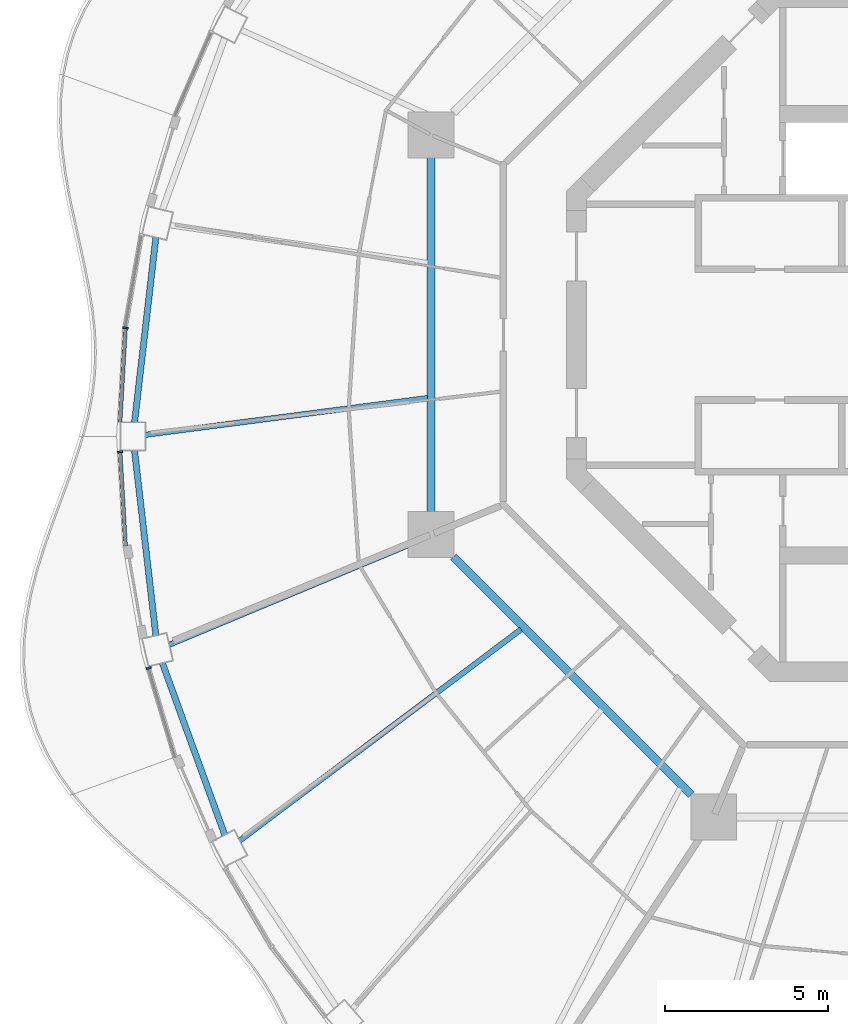
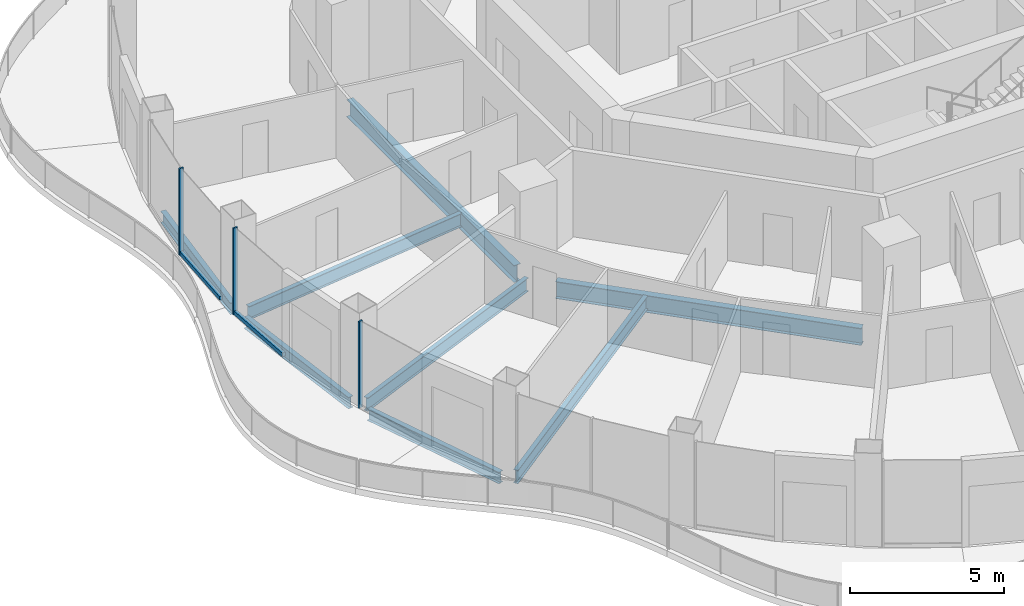
# One storey, part 3 of 18: 8 beams, 5 members, 3 elements without a shape of their own.
"""IFC4 building model written with IfcOpenShell, lengths in metres."""

import ifcopenshell
import ifcopenshell.guid

model = None  # the IFC model being written
_history = None  # IfcOwnerHistory: only IFC2X3 demands one
_inside = {}  # id of a spatial element -> (the spatial element, [elements in it])
_under = {}  # id of a project, library or spatial element -> (it, [spatial elements below it])
_declared = {}  # id of a project -> (the project, [libraries it declares])
_typed = {}  # id of a type object -> (the type object, [elements of that type])
_made_of = {}  # id of a material, layer set ... -> (it, [elements and type objects made of it])


def new_model(schema):
    """Start an empty IFC model of exactly this schema.

    Asked for "IFC4X3", IfcOpenShell would pick the latest addendum, in which some entities
    have other attributes; the version numbers below select the first issue.
    IFC2X3 requires an IfcOwnerHistory on every rooted entity: one is made here for all.
    """
    global model, _history
    if schema == "IFC4X3":
        model = ifcopenshell.file(schema_version=(4, 3, 0, 0))
    else:
        model = ifcopenshell.file(schema=schema)
    _inside.clear()
    _under.clear()
    _declared.clear()
    _typed.clear()
    _made_of.clear()
    _history = None
    if model.schema == "IFC2X3":
        org = make("IfcOrganization", Name="unknown")
        user = make(
            "IfcPersonAndOrganization",
            ThePerson=make("IfcPerson", FamilyName="unknown"),
            TheOrganization=org,
        )
        app = make(
            "IfcApplication",
            ApplicationDeveloper=org,
            Version="unknown",
            ApplicationFullName="unknown",
            ApplicationIdentifier="unknown",
        )
        _history = make(
            "IfcOwnerHistory",
            OwningUser=user,
            OwningApplication=app,
            ChangeAction="ADDED",
            CreationDate=0,
        )
    return model


def make(cls, **values):
    """One entity of the class cls with the attributes given. An attribute that is None is left unset."""
    return model.create_entity(
        cls, **{name: value for name, value in values.items() if value is not None}
    )


def rooted(cls, **values):
    """An entity with a GlobalId (a new one), such as an element, a storey or a relation."""
    return make(cls, GlobalId=ifcopenshell.guid.new(), OwnerHistory=_history, **values)


def si_unit(unit_type, name, prefix=None):
    """IfcSIUnit, for example si_unit("LENGTHUNIT", "METRE", prefix="MILLI")."""
    return make("IfcSIUnit", UnitType=unit_type, Prefix=prefix, Name=name)


def assignment(units):
    """IfcUnitAssignment: the units of a project."""
    return None if units is None else make("IfcUnitAssignment", Units=units)


def point(xyz):
    """IfcCartesianPoint."""
    return None if xyz is None else make("IfcCartesianPoint", Coordinates=xyz)


def direction(xyz):
    """IfcDirection."""
    return None if xyz is None else make("IfcDirection", DirectionRatios=xyz)


def frame(location, z_axis=None, x_axis=None):
    """IfcAxis2Placement3D, a coordinate frame: its origin and axes. An axis left out is left unset."""
    return make(
        "IfcAxis2Placement3D",
        Location=point(location),
        Axis=direction(z_axis),
        RefDirection=direction(x_axis),
    )


def frame_2d(location, x_axis=None):
    """IfcAxis2Placement2D, a coordinate frame in the plane: its origin and x axis."""
    return make(
        "IfcAxis2Placement2D", Location=point(location), RefDirection=direction(x_axis)
    )


def origin():
    """The frame at (0, 0, 0) with its axes left unset."""
    return frame((0.0, 0.0, 0.0))


def origin_2d():
    """The frame at (0, 0) in the plane with its x axis left unset."""
    return frame_2d((0.0, 0.0))


def place(relative_to, where):
    """IfcLocalPlacement: puts the frame where relative to a parent placement (None: the world)."""
    return make(
        "IfcLocalPlacement", PlacementRelTo=relative_to, RelativePlacement=where
    )


def context(
    kind, dimensions, precision=None, world=None, true_north=None, identifier=None
):
    """IfcGeometricRepresentationContext, for example the 3D "Model" context."""
    return make(
        "IfcGeometricRepresentationContext",
        ContextIdentifier=identifier,
        ContextType=kind,
        CoordinateSpaceDimension=dimensions,
        Precision=precision,
        WorldCoordinateSystem=world,
        TrueNorth=true_north,
    )


def subcontext(parent, identifier, kind, view, scale=None):
    """IfcGeometricRepresentationSubContext, for example "Body" below "Model"."""
    return make(
        "IfcGeometricRepresentationSubContext",
        ContextIdentifier=identifier,
        ContextType=kind,
        ParentContext=parent,
        TargetScale=scale,
        TargetView=view,
    )


def project(units=None, contexts=None):
    """IfcProject with its units and contexts."""
    return rooted(
        "IfcProject",
        Name="project",
        RepresentationContexts=contexts,
        UnitsInContext=assignment(units),
    )


def spatial(cls, under=None, at=None, **own):
    """A site, building, storey or space (cls), placed at a placement, below another one or the project."""
    s = rooted(cls, ObjectPlacement=at, **own)
    if under is not None:
        _under.setdefault(under.id(), (under, []))[1].append(s)
    return s


def profile(cls, at=None, kind="AREA", **sizes):
    """A parametric profile (cls). Its sizes go by their IFC names, for example OverallWidth=200.0."""
    return make(cls, ProfileType=kind, Position=at, **sizes)


def rectangle(**sizes):
    """IfcRectangleProfileDef."""
    return profile("IfcRectangleProfileDef", **sizes)


def i_section(**sizes):
    """IfcIShapeProfileDef."""
    return profile("IfcIShapeProfileDef", **sizes)


def extrude(swept, where, along, depth):
    """IfcExtrudedAreaSolid: the profile swept, set in the frame where, extruded along a direction by depth."""
    return make(
        "IfcExtrudedAreaSolid",
        SweptArea=swept,
        Position=where,
        ExtrudedDirection=direction(along),
        Depth=depth,
    )


def shape(context_of_items, identifier, shape_type, items):
    """IfcShapeRepresentation: the items that make up one representation, for example the "Body"."""
    return make(
        "IfcShapeRepresentation",
        ContextOfItems=context_of_items,
        RepresentationIdentifier=identifier,
        RepresentationType=shape_type,
        Items=items,
    )


def material(Name=None, Category=None):
    """IfcMaterial."""
    return make("IfcMaterial", Name=Name, Category=Category)


def layer(
    of_material, thickness, ventilated=None, Name=None, Category=None, Priority=None
):
    """IfcMaterialLayer: one layer of a wall or slab, of a material (None: an air gap)."""
    return make(
        "IfcMaterialLayer",
        Material=of_material,
        LayerThickness=thickness,
        IsVentilated=ventilated,
        Name=Name,
        Category=Category,
        Priority=Priority,
    )


def layer_set(layers, Name=None):
    """IfcMaterialLayerSet."""
    return make("IfcMaterialLayerSet", MaterialLayers=layers, LayerSetName=Name)


def material_profile(
    of_material, cross_section, Name=None, Category=None, Priority=None
):
    """IfcMaterialProfile: a cross section and its material."""
    return make(
        "IfcMaterialProfile",
        Name=Name,
        Material=of_material,
        Profile=cross_section,
        Priority=Priority,
        Category=Category,
    )


def profile_set(profiles, Name=None, composite=None):
    """IfcMaterialProfileSet."""
    return make(
        "IfcMaterialProfileSet",
        Name=Name,
        MaterialProfiles=profiles,
        CompositeProfile=composite,
    )


def made_of(thing, what):
    """Note that an element or type object is made of a material, layer set ...; save() writes the relation."""
    if what is not None:
        _made_of.setdefault(what.id(), (what, []))[1].append(thing)
    return thing


def type_object(cls, material=None, **own):
    """A type object (cls), such as IfcWallType, which elements share."""
    return made_of(rooted(cls, **own), material)


def element(
    cls,
    number,
    at=None,
    inside=None,
    cuts=None,
    type_object=None,
    material=None,
    context=None,
    identifier="Body",
    shape_type=None,
    held_by="IfcProductDefinitionShape",
    body=None,
    shapes=None,
    **own,
):
    """One element of the class cls, such as IfcWall. Its Tag is "e" and its number.

    at: its placement. inside: the storey or other place that contains it. cuts: it is an
    opening in that element (IfcRelVoidsElement). A single representation is given by context,
    identifier, shape_type and body (its items); several are given by shapes. held_by: the class
    of the entity that holds the representations. save() writes the other relations.
    """
    e = rooted(cls, Tag="e%d" % number, ObjectPlacement=at, **own)
    if body is not None:
        shapes = [shape(context, identifier, shape_type, body)]
    if shapes is not None:
        e.Representation = make(held_by, Representations=shapes)
    if inside is not None:
        _inside.setdefault(inside.id(), (inside, []))[1].append(e)
    if cuts is not None:
        rooted(
            "IfcRelVoidsElement", RelatingBuildingElement=cuts, RelatedOpeningElement=e
        )
    if type_object is not None:
        _typed.setdefault(type_object.id(), (type_object, []))[1].append(e)
    return made_of(e, material)


def aggregate(whole, parts):
    """IfcRelAggregates: a whole, such as a stair, and the parts it consists of."""
    return rooted("IfcRelAggregates", RelatingObject=whole, RelatedObjects=parts)


def save(model, path):
    """Write the relations noted so far, then the file.

    IfcRelAggregates (storeys below a building ...), IfcRelContainedInSpatialStructure (elements
    in a storey), IfcRelDefinesByType, IfcRelAssociatesMaterial and IfcRelDeclares: one each for
    every whole, place, type object, material and project.
    """
    for whole, parts in _under.values():
        aggregate(whole, parts)
    for where, things in _inside.values():
        rooted(
            "IfcRelContainedInSpatialStructure",
            RelatedElements=things,
            RelatingStructure=where,
        )
    for kind, things in _typed.values():
        rooted("IfcRelDefinesByType", RelatedObjects=things, RelatingType=kind)
    for what, things in _made_of.values():
        rooted("IfcRelAssociatesMaterial", RelatedObjects=things, RelatingMaterial=what)
    for by, libraries in _declared.values():
        rooted("IfcRelDeclares", RelatingContext=by, RelatedDefinitions=libraries)
    model.write(path)


model = new_model("IFC4")

# Units and contexts
model_context = context("Model", 3, precision=1e-05, world=origin(), true_north=direction((0.0, 1.0)))
body_context = subcontext(model_context, "Body", "Model", "MODEL_VIEW")
ifc_project = project(units=[si_unit("LENGTHUNIT", "METRE"), si_unit("AREAUNIT", "SQUARE_METRE"), si_unit("VOLUMEUNIT", "CUBIC_METRE"), si_unit("PLANEANGLEUNIT", "RADIAN"), si_unit("MASSUNIT", "GRAM", prefix="KILO")], contexts=[model_context])

# Site, building, storey
site_placement = place(None, origin())
site = spatial("IfcSite", under=ifc_project, at=site_placement, CompositionType="ELEMENT")
building_placement = place(site_placement, origin())
building = spatial("IfcBuilding", under=site, at=building_placement, Name="Nagisa Residences", CompositionType="ELEMENT")
storey_placement = place(building_placement, frame((0.0, 0.0, 284.39990234375)))
storey = spatial("IfcBuildingStorey", under=building, at=storey_placement, Name="L72", CompositionType="ELEMENT", Elevation=284.39990234375)

# Curtain wall, member
ifc_material_1 = material(Name="Concrete-coloured aluminium curtain wall system", Category="concrete")
ifc_layer = layer(ifc_material_1, 0.159912109375)
ifc_layer_set = layer_set([ifc_layer], Name="CW1 CURTAIN WALL")
curtain_wall_type = type_object("IfcCurtainWallType", Name="CW1 CURTAIN WALL", PredefinedType="NOTDEFINED", material=ifc_layer_set)
curtain_wall_1_placement = place(storey_placement, origin())
curtain_wall_1 = element("IfcCurtainWall", 1, at=curtain_wall_1_placement, inside=storey, type_object=curtain_wall_type, Name="cw:CW1:L72:23", PredefinedType="NOTDEFINED")
ifc_material_2 = material(Name="Concrete-coloured aluminium", Category="concrete")
ifc_material_profile_1 = material_profile(ifc_material_2, rectangle(XDim=0.159912109375, YDim=0.06005859375, at=origin_2d()), Name="CW1 MULLION 160x60")
ifc_profile_set_1 = profile_set([ifc_material_profile_1], Name="Concrete-coloured aluminium")
member_type_1 = type_object("IfcMemberType", Name="CW1 MULLION 160x60", PredefinedType="MULLION", material=ifc_profile_set_1)
member_1_placement = place(storey_placement, frame((-24.1484375, 0.20751953125, 0.0), z_axis=(0.0, 0.0, 1.0), x_axis=(0.998345305184, -0.057503492216, 0.0)))
member_1 = element("IfcMember", 2, at=member_1_placement, type_object=member_type_1, Name="CW1 mullion", PredefinedType="MULLION", context=body_context, shape_type="SweptSolid", body=[
    extrude(rectangle(XDim=0.159912109375, YDim=0.06005859375, at=origin_2d()), origin(), (0.0, 0.0, 1.0), 3.440185546875),
])

curtain_wall_2_placement = place(storey_placement, origin())
curtain_wall_2 = element("IfcCurtainWall", 3, at=curtain_wall_2_placement, inside=storey, type_object=curtain_wall_type, Name="cw:CW1:L72:24", PredefinedType="NOTDEFINED")
member_2_placement = place(storey_placement, frame((-24.3125, -3.59228515625, 0.0), z_axis=(0.0, 0.0, 1.0), x_axis=(0.998345305184, 0.057503492216, 0.0)))
member_2 = element("IfcMember", 4, at=member_2_placement, type_object=member_type_1, Name="CW1 mullion", PredefinedType="MULLION", context=body_context, shape_type="SweptSolid", body=[
    extrude(rectangle(XDim=0.159912109375, YDim=0.06005859375, at=origin_2d()), origin(), (0.0, 0.0, 1.0), 3.440185546875),
])

curtain_wall_3_placement = place(storey_placement, origin())
curtain_wall_3 = element("IfcCurtainWall", 5, at=curtain_wall_3_placement, inside=storey, type_object=curtain_wall_type, Name="cw:CW1:L72:26", PredefinedType="NOTDEFINED")
member_3_placement = place(storey_placement, frame((-23.435302734375, -10.216796875, 0.0), z_axis=(0.0, 0.0, 1.0), x_axis=(0.958271310082, 0.285860274038, 0.0)))
member_3 = element("IfcMember", 6, at=member_3_placement, type_object=member_type_1, Name="CW1 mullion", PredefinedType="MULLION", context=body_context, shape_type="SweptSolid", body=[
    extrude(rectangle(XDim=0.159912109375, YDim=0.06005859375, at=origin_2d()), origin(), (0.0, 0.0, 1.0), 3.440185546875),
])
aggregate(curtain_wall_3, [member_3])

# Member
ifc_material_3 = material(Name="Concrete-coloured aluminium", Category="concrete")
ifc_material_profile_2 = material_profile(ifc_material_3, rectangle(XDim=0.1201171875, YDim=0.14990234375, at=origin_2d()), Name="CW1 TRANSOM 120x150")
ifc_profile_set_2 = profile_set([ifc_material_profile_2], Name="Concrete-coloured aluminium")
member_type_2 = type_object("IfcMemberType", Name="CW1 TRANSOM 120x150", PredefinedType="USERDEFINED", material=ifc_profile_set_2)
member_4_placement = place(storey_placement, frame((-24.146728515625, 0.237548828125, 0.0751953125), z_axis=(-0.057445660401, -0.998348634547, 0.0), x_axis=(0.998348634547, -0.057445660401, 0.0)))
member_4 = element("IfcMember", 7, at=member_4_placement, type_object=member_type_2, Name="CW1 transom", ObjectType="TRANSOM", PredefinedType="USERDEFINED", context=body_context, shape_type="SweptSolid", body=[
    extrude(rectangle(XDim=0.1201171875, YDim=0.14990234375, at=origin_2d()), origin(), (0.0, 0.0, 1.0), 2.91552734375),
])

aggregate(curtain_wall_1, [member_1, member_4])

member_5_placement = place(storey_placement, frame((-24.314208984375, -3.562255859375, 0.0751953125), z_axis=(0.057445660401, -0.998348634547, 0.0), x_axis=(0.998348634547, 0.057445660401, 0.0)))
member_5 = element("IfcMember", 8, at=member_5_placement, type_object=member_type_2, Name="CW1 transom", ObjectType="TRANSOM", PredefinedType="USERDEFINED", context=body_context, shape_type="SweptSolid", body=[
    extrude(rectangle(XDim=0.1201171875, YDim=0.14990234375, at=origin_2d()), origin(), (0.0, 0.0, 1.0), 2.91552734375),
])

aggregate(curtain_wall_2, [member_2, member_5])

# Beams
ifc_material_4 = material(Name="Steel ASTM A572 Gr 50", Category="steel")
ifc_material_profile_3 = material_profile(ifc_material_4, i_section(OverallWidth=0.2529296875, OverallDepth=0.677978515625, WebThickness=0.01171875, FlangeThickness=0.016357421875, at=origin_2d()), Name="W690x125")
ifc_profile_set_3 = profile_set([ifc_material_profile_3], Name="Steel ASTM A572 Gr 50")
beam_type_1 = type_object("IfcBeamType", Name="Inner ring beam W690x125", PredefinedType="BEAM", material=ifc_profile_set_3)
beam_1_placement = place(storey_placement, frame((-14.781982421875, 5.44287109375, -0.598876953125), z_axis=(0.0, -1.0, 0.0), x_axis=(1.0, 0.0, 0.0)))
element("IfcBeam", 9, at=beam_1_placement, inside=storey, type_object=beam_type_1, Name="beam:L72:ib4", PredefinedType="BEAM", context=body_context, shape_type="SweptSolid", body=[
    extrude(i_section(OverallWidth=0.2529296875, OverallDepth=0.677978515625, WebThickness=0.01171875, FlangeThickness=0.016357421875, at=origin_2d()), origin(), (0.0, 0.0, 1.0), 10.8857421875),
])
beam_2_placement = place(storey_placement, frame((-14.09619140625, -6.808837890625, -0.598876953125), z_axis=(0.707106781187, -0.707106781187, 0.0), x_axis=(0.707106781187, 0.707106781187, 0.0)))
element("IfcBeam", 10, at=beam_2_placement, inside=storey, type_object=beam_type_1, Name="beam:L72:ib5", PredefinedType="BEAM", context=body_context, shape_type="SweptSolid", body=[
    extrude(i_section(OverallWidth=0.2529296875, OverallDepth=0.677978515625, WebThickness=0.01171875, FlangeThickness=0.016357421875, at=origin_2d()), origin(), (0.0, 0.0, 1.0), 10.305908203125),
])
ifc_material_5 = material(Name="Steel ASTM A572 Gr 50", Category="steel")
ifc_material_profile_4 = material_profile(ifc_material_5, i_section(OverallWidth=0.18994140625, OverallDepth=0.45703125, WebThickness=0.009033203125, FlangeThickness=0.014404296875, at=origin_2d()), Name="W460x74")
ifc_profile_set_4 = profile_set([ifc_material_profile_4], Name="Steel ASTM A572 Gr 50")
beam_type_2 = type_object("IfcBeamType", Name="Perimeter ring beam W460x74", PredefinedType="BEAM", material=ifc_profile_set_4)
for number, where, z_axis, x_axis, name in (
    (11, (-23.2158203125, 2.984619140625, -0.48828125), (-0.114635468623, -0.993407624962, 0.0), (0.993407624962, -0.114635468623, 0.0), "beam:L72:pb12"),
    (12, (-23.870361328125, -3.5478515625, -0.48828125), (0.114635468623, -0.993407624962, 0.0), (0.993407624962, 0.114635468623, 0.0), "beam:L72:pb13"),
):
    element("IfcBeam", number, at=place(storey_placement, frame(where, z_axis=z_axis, x_axis=x_axis)), inside=storey, type_object=beam_type_2, Name=name, PredefinedType="BEAM", context=body_context, shape_type="SweptSolid", body=[
        extrude(i_section(OverallWidth=0.18994140625, OverallDepth=0.45703125, WebThickness=0.009033203125, FlangeThickness=0.014404296875, at=origin_2d()), origin(), (0.0, 0.0, 1.0), 5.709716796875),
    ])
beam_3_placement = place(storey_placement, frame((-23.0185546875, -10.057373046875, -0.48828125), z_axis=(0.341250304478, -0.9399724622, 0.0), x_axis=(0.9399724622, 0.341250304478, 0.0)))
element("IfcBeam", 13, at=beam_3_placement, inside=storey, type_object=beam_type_2, Name="beam:L72:pb14", PredefinedType="BEAM", context=body_context, shape_type="SweptSolid", body=[
    extrude(i_section(OverallWidth=0.18994140625, OverallDepth=0.45703125, WebThickness=0.009033203125, FlangeThickness=0.014404296875, at=origin_2d()), origin(), (0.0, 0.0, 1.0), 5.609619140625),
])
ifc_material_6 = material(Name="Steel ASTM A572 Gr 50", Category="steel")
ifc_material_profile_5 = material_profile(ifc_material_6, i_section(OverallWidth=0.166015625, OverallDepth=0.534912109375, WebThickness=0.01025390625, FlangeThickness=0.0166015625, at=origin_2d()), Name="W530x85")
ifc_profile_set_5 = profile_set([ifc_material_profile_5], Name="Steel ASTM A572 Gr 50")
beam_type_3 = type_object("IfcBeamType", Name="Radial beam W530x85", PredefinedType="BEAM", material=ifc_profile_set_5)
beam_4_placement = place(storey_placement, frame((-23.539794921875, -3.068115234375, -0.52734375), z_axis=(0.991614605292, 0.129230315994, 0.0), x_axis=(-0.129230315994, 0.991614605292, 0.0)))
element("IfcBeam", 14, at=beam_4_placement, inside=storey, type_object=beam_type_3, Name="beam:L72:rb13", PredefinedType="BEAM", context=body_context, shape_type="SweptSolid", body=[
    extrude(i_section(OverallWidth=0.166015625, OverallDepth=0.534912109375, WebThickness=0.01025390625, FlangeThickness=0.0166015625, at=origin_2d()), origin(), (0.0, 0.0, 1.0), 8.724365234375),
])
beam_5_placement = place(storey_placement, frame((-22.810546875, -9.502197265625, -0.52734375), z_axis=(0.92310713136, 0.384542876716, 0.0), x_axis=(-0.384542876716, 0.92310713136, 0.0)))
element("IfcBeam", 15, at=beam_5_placement, inside=storey, type_object=beam_type_3, Name="beam:L72:rb14", PredefinedType="BEAM", context=body_context, shape_type="SweptSolid", body=[
    extrude(i_section(OverallWidth=0.166015625, OverallDepth=0.534912109375, WebThickness=0.01025390625, FlangeThickness=0.0166015625, at=origin_2d()), origin(), (0.0, 0.0, 1.0), 8.607177734375),
])
beam_6_placement = place(storey_placement, frame((-20.647705078125, -15.505859375, -0.52734375), z_axis=(0.799616749037, 0.600510661571, 0.0), x_axis=(-0.600510661571, 0.799616749037, 0.0)))
element("IfcBeam", 16, at=beam_6_placement, inside=storey, type_object=beam_type_3, Name="beam:L72:rb15", PredefinedType="BEAM", context=body_context, shape_type="SweptSolid", body=[
    extrude(i_section(OverallWidth=0.166015625, OverallDepth=0.534912109375, WebThickness=0.01025390625, FlangeThickness=0.0166015625, at=origin_2d()), origin(), (0.0, 0.0, 1.0), 10.782958984375),
])

save(model, "model.ifc")
